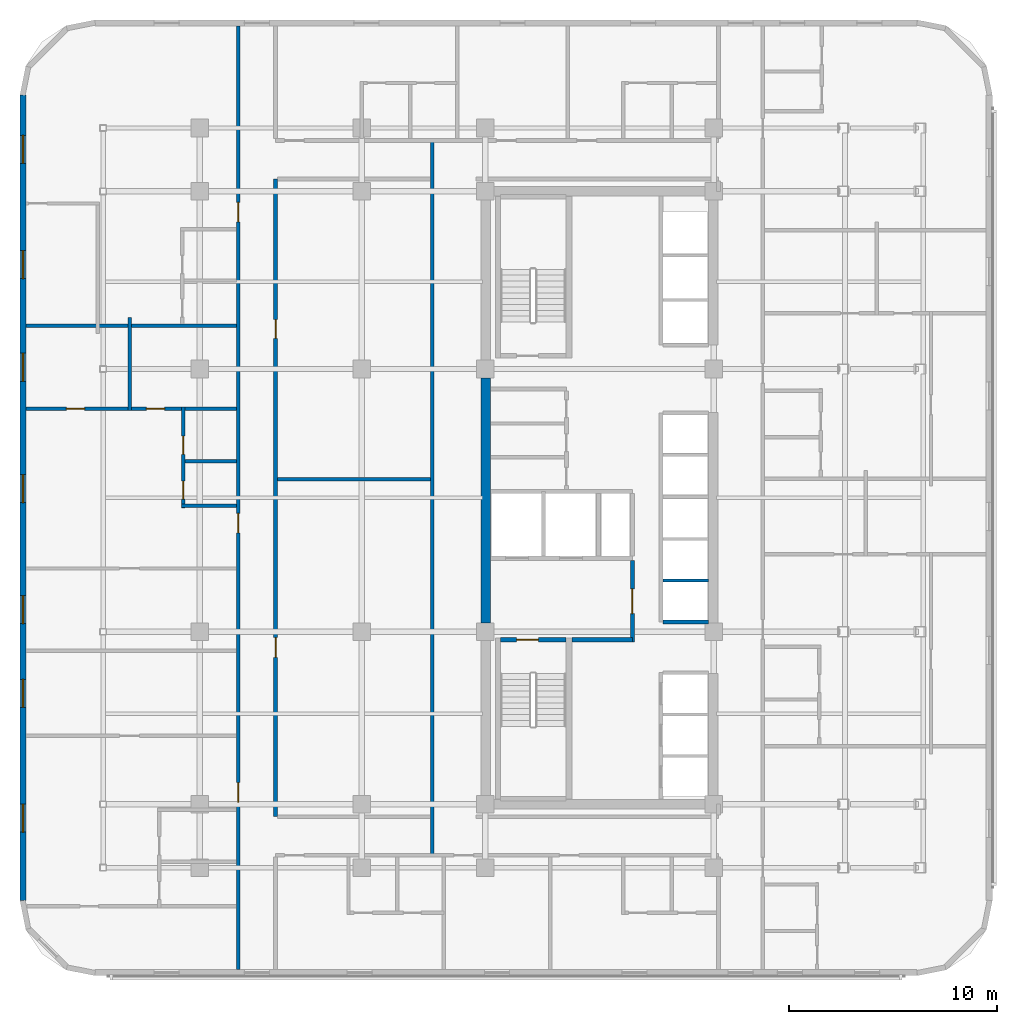
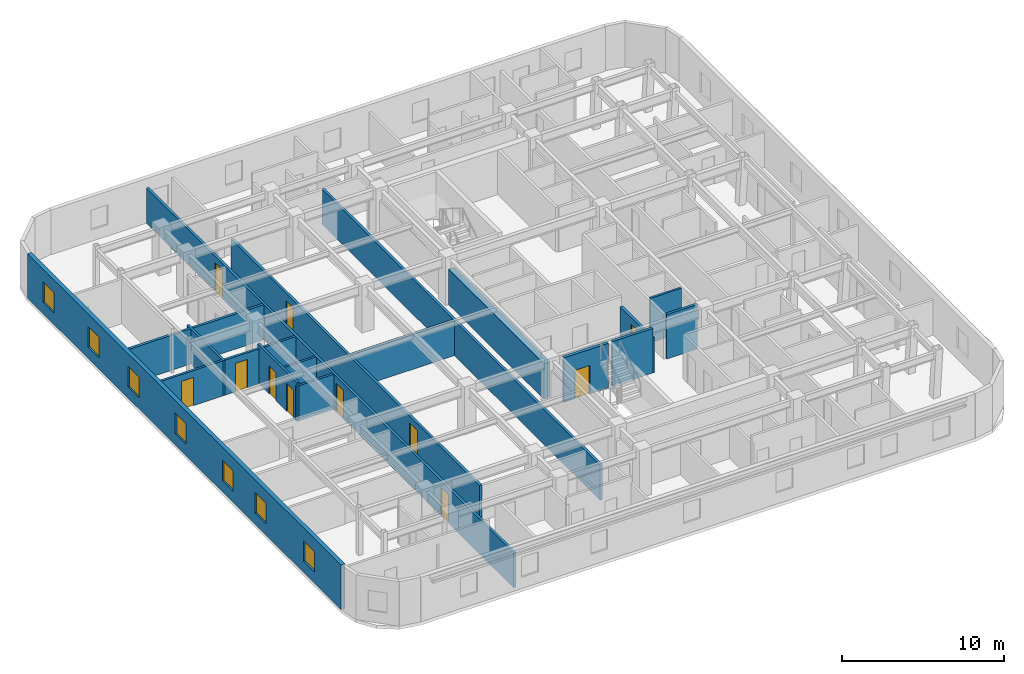
# One storey, part 7 of 14: 17 walls, 11 doors, 7 windows, 18 openings.
"""IFC4 building model written with IfcOpenShell, lengths in metres."""

from ifc_helpers import new_model, si_unit, direction, frame, frame_2d, origin, place, context, subcontext, project, spatial, rectangle, extrude, material, layer, layer_set, type_object, element, fill, save


model = new_model("IFC4")

# Units and contexts
model_context = context("Model", 3, precision=1e-05, world=origin(), true_north=direction((0.0, 1.0)))
body_context = subcontext(model_context, "Body", "Model", "MODEL_VIEW")
ifc_project = project(units=[si_unit("LENGTHUNIT", "METRE"), si_unit("AREAUNIT", "SQUARE_METRE"), si_unit("VOLUMEUNIT", "CUBIC_METRE"), si_unit("PLANEANGLEUNIT", "RADIAN"), si_unit("MASSUNIT", "GRAM", prefix="KILO")], contexts=[model_context])

# Site, building, storey
site_placement = place(None, origin())
site = spatial("IfcSite", under=ifc_project, at=site_placement, CompositionType="ELEMENT")
building_placement = place(site_placement, origin())
building = spatial("IfcBuilding", under=site, at=building_placement, Name="Ochreholt Gables", CompositionType="ELEMENT")
storey_placement = place(building_placement, frame((0.0, 0.0, 42.0)))
storey = spatial("IfcBuildingStorey", under=building, at=storey_placement, Name="L10", CompositionType="ELEMENT", Elevation=42.0)

# Wall
ifc_material_1 = material(Name="Concrete 60 MPa", Category="concrete")
ifc_layer_1 = layer(ifc_material_1, 0.449951171875, Name="Concrete 60 MPa")
ifc_layer_set_1 = layer_set([ifc_layer_1], Name="Concrete 60 MPa")
wall_type_1 = type_object("IfcWallType", Name="WALL-CSW-450", PredefinedType="SHEAR", material=ifc_layer_set_1)
wall_1_placement = place(storey_placement, frame((24.22509765625, 17.97509765625, 0.0), z_axis=(0.0, 0.0, 1.0), x_axis=(0.0, 1.0, 0.0)))
element("IfcWall", 1, at=wall_1_placement, inside=storey, type_object=wall_type_1, Name="L10 Core West Shear Wall WM", PredefinedType="SHEAR", context=body_context, shape_type="SweptSolid", body=[
    extrude(rectangle(XDim=11.7998046875, YDim=0.449951171875, at=frame_2d((5.89990234375, 0.0))), origin(), (0.0, 0.0, 1.0), 2.6669921875),
])

# Wall, openings, windows
ifc_material_2 = material(Name="Precast concrete 40 MPa", Category="concrete")
ifc_layer_2 = layer(ifc_material_2, 0.2900390625, Name="Precast concrete 40 MPa")
ifc_layer_set_2 = layer_set([ifc_layer_2], Name="Precast concrete 40 MPa")
wall_type_2 = type_object("IfcWallType", Name="WALL-EXT-290", PredefinedType="SOLIDWALL", material=ifc_layer_set_2)
wall_2_placement = place(storey_placement, frame((1.945068359375, 43.3798828125, 0.0), z_axis=(0.0, 0.0, 1.0), x_axis=(0.0, -1.0, 0.0)))
wall_2 = element("IfcWall", 2, at=wall_2_placement, inside=storey, type_object=wall_type_2, Name="L10 West Exterior Wall", PredefinedType="SOLIDWALL", context=body_context, shape_type="SweptSolid", body=[
    extrude(rectangle(XDim=38.759765625, YDim=0.2900390625, at=frame_2d((19.3798828125, 0.0))), origin(), (0.0, 0.0, 1.0), 3.360107421875),
])
opening_1_placement = place(wall_2_placement, frame((34.125244140625, 0.0, 0.85009765625)))
opening_1 = element("IfcOpeningElement", 3, at=opening_1_placement, cuts=wall_2, Name="Opening WN-8", PredefinedType="OPENING", context=body_context, shape_type="SweptSolid", body=[
    extrude(rectangle(XDim=1.35009765625, YDim=1.550048828125, at=frame_2d((0.675048828125, 0.77490234375))), frame((0.0, 0.155029296875, 0.0), z_axis=(0.0, -1.0, 0.0), x_axis=(1.0, 0.0, 0.0)), (0.0, 0.0, 1.0), 0.31005859375),
])
opening_2_placement = place(wall_2_placement, frame((28.115234375, 0.0, 0.85009765625)))
opening_2 = element("IfcOpeningElement", 4, at=opening_2_placement, cuts=wall_2, Name="Opening WN-8", PredefinedType="OPENING", context=body_context, shape_type="SweptSolid", body=[
    extrude(rectangle(XDim=1.35009765625, YDim=1.550048828125, at=frame_2d((0.675048828125, 0.77490234375))), frame((0.0, 0.155029296875, 0.0), z_axis=(0.0, -1.0, 0.0), x_axis=(1.0, 0.0, 0.0)), (0.0, 0.0, 1.0), 0.31005859375),
])
opening_3_placement = place(wall_2_placement, frame((24.084228515625, 0.0, 0.85009765625)))
opening_3 = element("IfcOpeningElement", 5, at=opening_3_placement, cuts=wall_2, Name="Opening WN-8", PredefinedType="OPENING", context=body_context, shape_type="SweptSolid", body=[
    extrude(rectangle(XDim=1.35009765625, YDim=1.550048828125, at=frame_2d((0.675048828125, 0.77490234375))), frame((0.0, 0.155029296875, 0.0), z_axis=(0.0, -1.0, 0.0), x_axis=(1.0, 0.0, 0.0)), (0.0, 0.0, 1.0), 0.31005859375),
])
opening_4_placement = place(wall_2_placement, frame((18.25927734375, 0.0, 0.85009765625)))
opening_4 = element("IfcOpeningElement", 6, at=opening_4_placement, cuts=wall_2, Name="Opening WN-8", PredefinedType="OPENING", context=body_context, shape_type="SweptSolid", body=[
    extrude(rectangle(XDim=1.35009765625, YDim=1.550048828125, at=frame_2d((0.675048828125, 0.77490234375))), frame((0.0, 0.155029296875, 0.0), z_axis=(0.0, -1.0, 0.0), x_axis=(1.0, 0.0, 0.0)), (0.0, 0.0, 1.0), 0.31005859375),
])
opening_5_placement = place(wall_2_placement, frame((12.419921875, 0.0, 0.85009765625)))
opening_5 = element("IfcOpeningElement", 7, at=opening_5_placement, cuts=wall_2, Name="Opening WN-8", PredefinedType="OPENING", context=body_context, shape_type="SweptSolid", body=[
    extrude(rectangle(XDim=1.35009765625, YDim=1.550048828125, at=frame_2d((0.675048828125, 0.77490234375))), frame((0.0, 0.155029296875, 0.0), z_axis=(0.0, -1.0, 0.0), x_axis=(1.0, 0.0, 0.0)), (0.0, 0.0, 1.0), 0.31005859375),
])
opening_6_placement = place(wall_2_placement, frame((7.47998046875, 0.0, 0.85009765625)))
opening_6 = element("IfcOpeningElement", 8, at=opening_6_placement, cuts=wall_2, Name="Opening WN-8", PredefinedType="OPENING", context=body_context, shape_type="SweptSolid", body=[
    extrude(rectangle(XDim=1.35009765625, YDim=1.550048828125, at=frame_2d((0.675048828125, 0.77490234375))), frame((0.0, 0.155029296875, 0.0), z_axis=(0.0, -1.0, 0.0), x_axis=(1.0, 0.0, 0.0)), (0.0, 0.0, 1.0), 0.31005859375),
])
opening_7_placement = place(wall_2_placement, frame((1.929931640625, 0.0, 0.85009765625)))
opening_7 = element("IfcOpeningElement", 9, at=opening_7_placement, cuts=wall_2, Name="Opening WN-8", PredefinedType="OPENING", context=body_context, shape_type="SweptSolid", body=[
    extrude(rectangle(XDim=1.35009765625, YDim=1.550048828125, at=frame_2d((0.675048828125, 0.77490234375))), frame((0.0, 0.155029296875, 0.0), z_axis=(0.0, -1.0, 0.0), x_axis=(1.0, 0.0, 0.0)), (0.0, 0.0, 1.0), 0.31005859375),
])
ifc_material_3 = material(Name="Triple-Glazed Thermally Broken Aluminium Window", Category="aluminium")
window_type = type_object("IfcWindowType", Name="WIN-RES-1350", PartitioningType="SINGLE_PANEL", PredefinedType="WINDOW", material=ifc_material_3)
window_1_placement = place(opening_1_placement, origin())
window_1 = element("IfcWindow", 10, at=window_1_placement, inside=storey, type_object=window_type, Name="L10 Window W-EXT-W-L10-1", OverallHeight=1.550048828125, OverallWidth=1.35009765625, PartitioningType="SINGLE_PANEL", PredefinedType="WINDOW", context=body_context, shape_type="SweptSolid", body=[
    extrude(rectangle(XDim=1.35009765625, YDim=1.550048828125, at=frame_2d((0.675048828125, 0.77490234375))), frame((0.0, 0.030029296875, 0.0), z_axis=(0.0, -1.0, 0.0), x_axis=(1.0, 0.0, 0.0)), (0.0, 0.0, 1.0), 0.06005859375),
])
fill(opening_1, window_1)
window_2_placement = place(opening_2_placement, origin())
window_2 = element("IfcWindow", 11, at=window_2_placement, inside=storey, type_object=window_type, Name="L10 Window W-EXT-W-L10-2", OverallHeight=1.550048828125, OverallWidth=1.35009765625, PartitioningType="SINGLE_PANEL", PredefinedType="WINDOW", context=body_context, shape_type="SweptSolid", body=[
    extrude(rectangle(XDim=1.35009765625, YDim=1.550048828125, at=frame_2d((0.675048828125, 0.77490234375))), frame((0.0, 0.030029296875, 0.0), z_axis=(0.0, -1.0, 0.0), x_axis=(1.0, 0.0, 0.0)), (0.0, 0.0, 1.0), 0.06005859375),
])
fill(opening_2, window_2)
window_3_placement = place(opening_3_placement, origin())
window_3 = element("IfcWindow", 12, at=window_3_placement, inside=storey, type_object=window_type, Name="L10 Window W-EXT-W-L10-3", OverallHeight=1.550048828125, OverallWidth=1.35009765625, PartitioningType="SINGLE_PANEL", PredefinedType="WINDOW", context=body_context, shape_type="SweptSolid", body=[
    extrude(rectangle(XDim=1.35009765625, YDim=1.550048828125, at=frame_2d((0.675048828125, 0.77490234375))), frame((0.0, 0.030029296875, 0.0), z_axis=(0.0, -1.0, 0.0), x_axis=(1.0, 0.0, 0.0)), (0.0, 0.0, 1.0), 0.06005859375),
])
fill(opening_3, window_3)
window_4_placement = place(opening_4_placement, origin())
window_4 = element("IfcWindow", 13, at=window_4_placement, inside=storey, type_object=window_type, Name="L10 Window W-EXT-W-L10-4", OverallHeight=1.550048828125, OverallWidth=1.35009765625, PartitioningType="SINGLE_PANEL", PredefinedType="WINDOW", context=body_context, shape_type="SweptSolid", body=[
    extrude(rectangle(XDim=1.35009765625, YDim=1.550048828125, at=frame_2d((0.675048828125, 0.77490234375))), frame((0.0, 0.030029296875, 0.0), z_axis=(0.0, -1.0, 0.0), x_axis=(1.0, 0.0, 0.0)), (0.0, 0.0, 1.0), 0.06005859375),
])
fill(opening_4, window_4)
window_5_placement = place(opening_5_placement, origin())
window_5 = element("IfcWindow", 14, at=window_5_placement, inside=storey, type_object=window_type, Name="L10 Window W-EXT-W-L10-5", OverallHeight=1.550048828125, OverallWidth=1.35009765625, PartitioningType="SINGLE_PANEL", PredefinedType="WINDOW", context=body_context, shape_type="SweptSolid", body=[
    extrude(rectangle(XDim=1.35009765625, YDim=1.550048828125, at=frame_2d((0.675048828125, 0.77490234375))), frame((0.0, 0.030029296875, 0.0), z_axis=(0.0, -1.0, 0.0), x_axis=(1.0, 0.0, 0.0)), (0.0, 0.0, 1.0), 0.06005859375),
])
fill(opening_5, window_5)
window_6_placement = place(opening_6_placement, origin())
window_6 = element("IfcWindow", 15, at=window_6_placement, inside=storey, type_object=window_type, Name="L10 Window W-EXT-W-L10-6", OverallHeight=1.550048828125, OverallWidth=1.35009765625, PartitioningType="SINGLE_PANEL", PredefinedType="WINDOW", context=body_context, shape_type="SweptSolid", body=[
    extrude(rectangle(XDim=1.35009765625, YDim=1.550048828125, at=frame_2d((0.675048828125, 0.77490234375))), frame((0.0, 0.030029296875, 0.0), z_axis=(0.0, -1.0, 0.0), x_axis=(1.0, 0.0, 0.0)), (0.0, 0.0, 1.0), 0.06005859375),
])
fill(opening_6, window_6)
window_7_placement = place(opening_7_placement, origin())
window_7 = element("IfcWindow", 16, at=window_7_placement, inside=storey, type_object=window_type, Name="L10 Window W-EXT-W-L10-7", OverallHeight=1.550048828125, OverallWidth=1.35009765625, PartitioningType="SINGLE_PANEL", PredefinedType="WINDOW", context=body_context, shape_type="SweptSolid", body=[
    extrude(rectangle(XDim=1.35009765625, YDim=1.550048828125, at=frame_2d((0.675048828125, 0.77490234375))), frame((0.0, 0.030029296875, 0.0), z_axis=(0.0, -1.0, 0.0), x_axis=(1.0, 0.0, 0.0)), (0.0, 0.0, 1.0), 0.06005859375),
])
fill(opening_7, window_7)

# Wall
ifc_material_4 = material(Name="Concrete 40 MPa", Category="concrete")
ifc_layer_3 = layer(ifc_material_4, 0.199951171875, Name="Concrete 40 MPa")
ifc_layer_set_3 = layer_set([ifc_layer_3], Name="Concrete 40 MPa")
wall_type_3 = type_object("IfcWallType", Name="WALL-INT-CF200", PredefinedType="STANDARD", material=ifc_layer_set_3)
wall_3_placement = place(storey_placement, frame((28.3798828125, 17.169921875, 0.0), z_axis=(0.0, 0.0, 1.0), x_axis=(1.0, 0.0, 0.0)))
element("IfcWall", 17, at=wall_3_placement, inside=storey, type_object=wall_type_3, Name="L10 Interior Wall WI-FFS-L10", PredefinedType="STANDARD", context=body_context, shape_type="SweptSolid", body=[
    extrude(rectangle(XDim=2.900146484375, YDim=0.199951171875, at=frame_2d((1.4501953125, 0.0))), origin(), (0.0, 0.0, 1.0), 3.360107421875),
])

# Wall, opening, door
wall_4_placement = place(storey_placement, frame((31.280029296875, 17.070068359375, 0.0), z_axis=(0.0, 0.0, 1.0), x_axis=(0.0, 1.0, 0.0)))
wall_4 = element("IfcWall", 18, at=wall_4_placement, inside=storey, type_object=wall_type_3, Name="L10 Interior Wall WI-FFE-L10", PredefinedType="STANDARD", context=body_context, shape_type="SweptSolid", body=[
    extrude(rectangle(XDim=3.919921875, YDim=0.199951171875, at=frame_2d((1.9599609375, 0.0))), origin(), (0.0, 0.0, 1.0), 2.64892578125),
])
opening_8_placement = place(wall_4_placement, frame((1.35009765625, 0.0, 0.0)))
opening_8 = element("IfcOpeningElement", 19, at=opening_8_placement, cuts=wall_4, Name="Opening D-FFL", PredefinedType="OPENING", context=body_context, shape_type="SweptSolid", body=[
    extrude(rectangle(XDim=1.199951171875, YDim=2.14990234375, at=frame_2d((0.60009765625, 1.074951171875))), frame((0.0, 0.10986328125, 0.0), z_axis=(0.0, -1.0, 0.0), x_axis=(1.0, 0.0, 0.0)), (0.0, 0.0, 1.0), 0.219970703125),
])
ifc_material_5 = material(Name="Hollow Metal Steel", Category="steel")
door_type_1 = type_object("IfcDoorType", Name="DR-INT-FFL1200", OperationType="NOTDEFINED", PredefinedType="DOOR", material=ifc_material_5)
door_1_placement = place(opening_8_placement, origin())
door_1 = element("IfcDoor", 20, at=door_1_placement, inside=storey, type_object=door_type_1, Name="L10 Door D-FFL-L10", OperationType="SINGLE_SWING_LEFT", OverallHeight=2.14990234375, OverallWidth=1.199951171875, PredefinedType="DOOR", context=body_context, shape_type="SweptSolid", body=[
    extrude(rectangle(XDim=1.199951171875, YDim=2.14990234375, at=frame_2d((0.60009765625, 1.074951171875))), frame((0.0, 0.02490234375, 0.0), z_axis=(0.0, -1.0, 0.0), x_axis=(1.0, 0.0, 0.0)), (0.0, 0.0, 1.0), 0.050048828125),
])
fill(opening_8, door_1)

# Wall
ifc_material_6 = material(Name="Fire-Rated Gypsum Acoustic Partition", Category="gypsum")
ifc_layer_4 = layer(ifc_material_6, 0.179931640625, Name="Fire-Rated Gypsum Acoustic Partition")
ifc_layer_set_4 = layer_set([ifc_layer_4], Name="Fire-Rated Gypsum Acoustic Partition")
wall_type_4 = type_object("IfcWallType", Name="WALL-INT-CR180", PredefinedType="STANDARD", material=ifc_layer_set_4)
wall_5_placement = place(storey_placement, frame((21.64990234375, 6.800048828125, 0.0), z_axis=(0.0, 0.0, 1.0), x_axis=(0.0, 1.0, 0.0)))
element("IfcWall", 21, at=wall_5_placement, inside=storey, type_object=wall_type_4, Name="L10 Interior Wall WI-C1W-L10", PredefinedType="STANDARD", context=body_context, shape_type="SweptSolid", body=[
    extrude(rectangle(XDim=34.39990234375, YDim=0.179931640625, at=frame_2d((17.199951171875, 0.0))), origin(), (0.0, 0.0, 1.0), 2.64892578125),
])

# Wall, openings, doors
wall_6_placement = place(storey_placement, frame((12.300048828125, 1.2900390625, 0.0), z_axis=(0.0, 0.0, 1.0), x_axis=(0.0, 1.0, 0.0)))
wall_6 = element("IfcWall", 22, at=wall_6_placement, inside=storey, type_object=wall_type_4, Name="L10 Interior Wall WI-C1WW-L10", PredefinedType="STANDARD", context=body_context, shape_type="SweptSolid", body=[
    extrude(rectangle(XDim=45.419921875, YDim=0.179931640625, at=frame_2d((22.7099609375, 0.0))), origin(), (0.0, 0.0, 1.0), 2.64892578125),
])
opening_9_placement = place(wall_6_placement, frame((8.06005859375, 0.0, 0.0)))
opening_9 = element("IfcOpeningElement", 23, at=opening_9_placement, cuts=wall_6, Name="Opening D-UN2", PredefinedType="OPENING", context=body_context, shape_type="SweptSolid", body=[
    extrude(rectangle(XDim=0.93994140625, YDim=2.14990234375, at=frame_2d((0.469970703125, 1.074951171875))), frame((0.0, 0.099853515625, 0.0), z_axis=(0.0, -1.0, 0.0), x_axis=(1.0, 0.0, 0.0)), (0.0, 0.0, 1.0), 0.199951171875),
])
opening_10_placement = place(wall_6_placement, frame((21.021484375, 0.0, 0.0)))
opening_10 = element("IfcOpeningElement", 24, at=opening_10_placement, cuts=wall_6, Name="Opening D-UN2", PredefinedType="OPENING", context=body_context, shape_type="SweptSolid", body=[
    extrude(rectangle(XDim=0.93994140625, YDim=2.14990234375, at=frame_2d((0.469970703125, 1.074951171875))), frame((0.0, 0.099853515625, 0.0), z_axis=(0.0, -1.0, 0.0), x_axis=(1.0, 0.0, 0.0)), (0.0, 0.0, 1.0), 0.199951171875),
])
opening_11_placement = place(wall_6_placement, frame((35.989990234375, 0.0, 0.0)))
opening_11 = element("IfcOpeningElement", 25, at=opening_11_placement, cuts=wall_6, Name="Opening D-UN2", PredefinedType="OPENING", context=body_context, shape_type="SweptSolid", body=[
    extrude(rectangle(XDim=0.93994140625, YDim=2.14990234375, at=frame_2d((0.469970703125, 1.074951171875))), frame((0.0, 0.099853515625, 0.0), z_axis=(0.0, -1.0, 0.0), x_axis=(1.0, 0.0, 0.0)), (0.0, 0.0, 1.0), 0.199951171875),
])
ifc_material_7 = material(Name="Engineered Oak Timber", Category="wood")
door_type_2 = type_object("IfcDoorType", Name="DR-INT-UNT940", OperationType="NOTDEFINED", PredefinedType="DOOR", material=ifc_material_7)
door_2_placement = place(opening_9_placement, origin())
door_2 = element("IfcDoor", 26, at=door_2_placement, inside=storey, type_object=door_type_2, Name="L10 Door D-U-L10W1-ENT", OperationType="SINGLE_SWING_RIGHT", OverallHeight=2.14990234375, OverallWidth=0.93994140625, PredefinedType="DOOR", context=body_context, shape_type="SweptSolid", body=[
    extrude(rectangle(XDim=0.93994140625, YDim=2.14990234375, at=frame_2d((0.469970703125, 1.074951171875))), frame((0.0, 0.02490234375, 0.0), z_axis=(0.0, -1.0, 0.0), x_axis=(1.0, 0.0, 0.0)), (0.0, 0.0, 1.0), 0.050048828125),
])
fill(opening_9, door_2)
door_3_placement = place(opening_10_placement, origin())
door_3 = element("IfcDoor", 27, at=door_3_placement, inside=storey, type_object=door_type_2, Name="L10 Door D-U-L10W2-ENT", OperationType="SINGLE_SWING_LEFT", OverallHeight=2.14990234375, OverallWidth=0.93994140625, PredefinedType="DOOR", context=body_context, shape_type="SweptSolid", body=[
    extrude(rectangle(XDim=0.93994140625, YDim=2.14990234375, at=frame_2d((0.469970703125, 1.074951171875))), frame((0.0, 0.02490234375, 0.0), z_axis=(0.0, -1.0, 0.0), x_axis=(1.0, 0.0, 0.0)), (0.0, 0.0, 1.0), 0.050048828125),
])
fill(opening_10, door_3)
door_4_placement = place(opening_11_placement, origin())
door_4 = element("IfcDoor", 28, at=door_4_placement, inside=storey, type_object=door_type_2, Name="L10 Door D-U-L10W3-ENT", OperationType="SINGLE_SWING_RIGHT", OverallHeight=2.14990234375, OverallWidth=0.93994140625, PredefinedType="DOOR", context=body_context, shape_type="SweptSolid", body=[
    extrude(rectangle(XDim=0.93994140625, YDim=2.14990234375, at=frame_2d((0.469970703125, 1.074951171875))), frame((0.0, 0.02490234375, 0.0), z_axis=(0.0, -1.0, 0.0), x_axis=(1.0, 0.0, 0.0)), (0.0, 0.0, 1.0), 0.050048828125),
])
fill(opening_11, door_4)

wall_7_placement = place(storey_placement, frame((14.10009765625, 8.64990234375, 0.0), z_axis=(0.0, 0.0, 1.0), x_axis=(0.0, 1.0, 0.0)))
wall_7 = element("IfcWall", 29, at=wall_7_placement, inside=storey, type_object=wall_type_4, Name="L10 Interior Wall WI-C1WE-L10", PredefinedType="STANDARD", context=body_context, shape_type="SweptSolid", body=[
    extrude(rectangle(XDim=30.7001953125, YDim=0.179931640625, at=frame_2d((15.35009765625, 0.0))), origin(), (0.0, 0.0, 1.0), 2.64892578125),
])
opening_12_placement = place(wall_7_placement, frame((7.675048828125, 0.0, 0.0)))
opening_12 = element("IfcOpeningElement", 30, at=opening_12_placement, cuts=wall_7, Name="Opening D-GN1", PredefinedType="OPENING", context=body_context, shape_type="SweptSolid", body=[
    extrude(rectangle(XDim=0.949951171875, YDim=2.14990234375, at=frame_2d((0.47509765625, 1.074951171875))), frame((0.0, 0.099853515625, 0.0), z_axis=(0.0, -1.0, 0.0), x_axis=(1.0, 0.0, 0.0)), (0.0, 0.0, 1.0), 0.199951171875),
])
opening_13_placement = place(wall_7_placement, frame((23.02490234375, 0.0, 0.0)))
opening_13 = element("IfcOpeningElement", 31, at=opening_13_placement, cuts=wall_7, Name="Opening D-SV1", PredefinedType="OPENING", context=body_context, shape_type="SweptSolid", body=[
    extrude(rectangle(XDim=0.89990234375, YDim=2.10009765625, at=frame_2d((0.449951171875, 1.050048828125))), frame((0.0, 0.099853515625, 0.0), z_axis=(0.0, -1.0, 0.0), x_axis=(1.0, 0.0, 0.0)), (0.0, 0.0, 1.0), 0.199951171875),
])
door_type_3 = type_object("IfcDoorType", Name="DR-INT-GEN950", OperationType="NOTDEFINED", PredefinedType="DOOR", material=ifc_material_7)
door_5_placement = place(opening_12_placement, origin())
door_5 = element("IfcDoor", 32, at=door_5_placement, inside=storey, type_object=door_type_3, Name="L10 Door D-C1IW1-L10", OperationType="SINGLE_SWING_LEFT", OverallHeight=2.14990234375, OverallWidth=0.949951171875, PredefinedType="DOOR", context=body_context, shape_type="SweptSolid", body=[
    extrude(rectangle(XDim=0.949951171875, YDim=2.14990234375, at=frame_2d((0.47509765625, 1.074951171875))), frame((0.0, 0.02490234375, 0.0), z_axis=(0.0, -1.0, 0.0), x_axis=(1.0, 0.0, 0.0)), (0.0, 0.0, 1.0), 0.050048828125),
])
fill(opening_12, door_5)
door_type_4 = type_object("IfcDoorType", Name="DR-INT-SRV900", OperationType="NOTDEFINED", PredefinedType="DOOR", material=ifc_material_5)
door_6_placement = place(opening_13_placement, origin())
door_6 = element("IfcDoor", 33, at=door_6_placement, inside=storey, type_object=door_type_4, Name="L10 Door D-C1IW2-L10", OperationType="SINGLE_SWING_RIGHT", OverallHeight=2.10009765625, OverallWidth=0.89990234375, PredefinedType="DOOR", context=body_context, shape_type="SweptSolid", body=[
    extrude(rectangle(XDim=0.89990234375, YDim=2.10009765625, at=frame_2d((0.449951171875, 1.050048828125))), frame((0.0, 0.02490234375, 0.0), z_axis=(0.0, -1.0, 0.0), x_axis=(1.0, 0.0, 0.0)), (0.0, 0.0, 1.0), 0.050048828125),
])
fill(opening_13, door_6)

# Walls
ifc_material_8 = material(Name="Double-Stud Acoustic Demising Wall", Category="gypsum")
ifc_layer_5 = layer(ifc_material_8, 0.179931640625, Name="Double-Stud Acoustic Demising Wall")
ifc_layer_set_5 = layer_set([ifc_layer_5], Name="Double-Stud Acoustic Demising Wall")
wall_type_5 = type_object("IfcWallType", Name="WALL-INT-DM180", PredefinedType="PARTITIONING", material=ifc_layer_set_5)
wall_8_placement = place(storey_placement, frame((2.090087890625, 32.280029296875, 0.0), z_axis=(0.0, 0.0, 1.0), x_axis=(1.0, 0.0, 0.0)))
element("IfcWall", 34, at=wall_8_placement, inside=storey, type_object=wall_type_5, Name="L10 Interior Wall WI-UDW3-L10", PredefinedType="PARTITIONING", context=body_context, shape_type="SweptSolid", body=[
    extrude(rectangle(XDim=10.119873046875, YDim=0.179931640625, at=frame_2d((5.06005859375, 0.0))), origin(), (0.0, 0.0, 1.0), 2.64892578125),
])
ifc_material_9 = material(Name="Moisture-Resistant Plumbing Chase Wall", Category="gypsum")
ifc_layer_6 = layer(ifc_material_9, 0.159912109375, Name="Moisture-Resistant Plumbing Chase Wall")
ifc_layer_set_6 = layer_set([ifc_layer_6], Name="Moisture-Resistant Plumbing Chase Wall")
wall_type_6 = type_object("IfcWallType", Name="WALL-INT-PL160", PredefinedType="PLUMBINGWALL", material=ifc_layer_set_6)
wall_9_placement = place(storey_placement, frame((9.573974609375, 23.611572265625, 0.0), z_axis=(0.0, 0.0, 1.0), x_axis=(1.0, 0.0, 0.0)))
element("IfcWall", 35, at=wall_9_placement, inside=storey, type_object=wall_type_6, Name="L10 Interior Wall WU-L10W2-FYS", PredefinedType="PLUMBINGWALL", context=body_context, shape_type="SweptSolid", body=[
    extrude(rectangle(XDim=2.635986328125, YDim=0.159912109375, at=frame_2d((1.31787109375, 0.0))), origin(), (0.0, 0.0, 1.0), 2.64892578125),
])

# Wall, openings, doors
wall_10_placement = place(storey_placement, frame((9.654052734375, 23.521484375, 0.0), z_axis=(0.0, 0.0, 1.0), x_axis=(0.0, 1.0, 0.0)))
wall_10 = element("IfcWall", 36, at=wall_10_placement, inside=storey, type_object=wall_type_6, Name="L10 Interior Wall WU-L10W2-WX", PredefinedType="PLUMBINGWALL", context=body_context, shape_type="SweptSolid", body=[
    extrude(rectangle(XDim=4.8583984375, YDim=0.159912109375, at=frame_2d((2.42919921875, 0.0))), origin(), (0.0, 0.0, 1.0), 2.931884765625),
])
opening_14_placement = place(wall_10_placement, frame((0.419921875, 0.0, 0.0)))
opening_14 = element("IfcOpeningElement", 37, at=opening_14_placement, cuts=wall_10, Name="Opening D-BT1", PredefinedType="OPENING", context=body_context, shape_type="SweptSolid", body=[
    extrude(rectangle(XDim=0.860107421875, YDim=2.1201171875, at=frame_2d((0.43017578125, 1.06005859375))), frame((0.0, 0.08984375, 0.0), z_axis=(0.0, -1.0, 0.0), x_axis=(1.0, 0.0, 0.0)), (0.0, 0.0, 1.0), 0.179931640625),
])
opening_15_placement = place(wall_10_placement, frame((2.572021484375, 0.0, 0.0)))
opening_15 = element("IfcOpeningElement", 38, at=opening_15_placement, cuts=wall_10, Name="Opening D-GN2", PredefinedType="OPENING", context=body_context, shape_type="SweptSolid", body=[
    extrude(rectangle(XDim=0.8798828125, YDim=2.1201171875, at=frame_2d((0.43994140625, 1.06005859375))), frame((0.0, 0.08984375, 0.0), z_axis=(0.0, -1.0, 0.0), x_axis=(1.0, 0.0, 0.0)), (0.0, 0.0, 1.0), 0.179931640625),
])
door_type_5 = type_object("IfcDoorType", Name="DR-INT-BTH860", OperationType="NOTDEFINED", PredefinedType="DOOR", material=ifc_material_7)
door_7_placement = place(opening_14_placement, origin())
door_7 = element("IfcDoor", 39, at=door_7_placement, inside=storey, type_object=door_type_5, Name="L10 Door D-U-L10W2-BTH", OperationType="SINGLE_SWING_RIGHT", OverallHeight=2.1201171875, OverallWidth=0.860107421875, PredefinedType="DOOR", context=body_context, shape_type="SweptSolid", body=[
    extrude(rectangle(XDim=0.860107421875, YDim=2.1201171875, at=frame_2d((0.43017578125, 1.06005859375))), frame((0.0, 0.02490234375, 0.0), z_axis=(0.0, -1.0, 0.0), x_axis=(1.0, 0.0, 0.0)), (0.0, 0.0, 1.0), 0.050048828125),
])
fill(opening_14, door_7)
door_type_6 = type_object("IfcDoorType", Name="DR-INT-GEN880", OperationType="NOTDEFINED", PredefinedType="DOOR", material=ifc_material_7)
door_8_placement = place(opening_15_placement, origin())
door_8 = element("IfcDoor", 40, at=door_8_placement, inside=storey, type_object=door_type_6, Name="L10 Door D-U-L10W2-KIT", OperationType="SINGLE_SWING_LEFT", OverallHeight=2.1201171875, OverallWidth=0.8798828125, PredefinedType="DOOR", context=body_context, shape_type="SweptSolid", body=[
    extrude(rectangle(XDim=0.8798828125, YDim=2.1201171875, at=frame_2d((0.43994140625, 1.06005859375))), frame((0.0, 0.02490234375, 0.0), z_axis=(0.0, -1.0, 0.0), x_axis=(1.0, 0.0, 0.0)), (0.0, 0.0, 1.0), 0.050048828125),
])
fill(opening_15, door_8)

# Wall
wall_11_placement = place(storey_placement, frame((9.73388671875, 25.763671875, 0.0), z_axis=(0.0, 0.0, 1.0), x_axis=(1.0, 0.0, 0.0)))
element("IfcWall", 41, at=wall_11_placement, inside=storey, type_object=wall_type_6, Name="L10 Interior Wall WU-L10W2-WK", PredefinedType="PLUMBINGWALL", context=body_context, shape_type="SweptSolid", body=[
    extrude(rectangle(XDim=2.47607421875, YDim=0.159912109375, at=frame_2d((1.238037109375, 0.0))), origin(), (0.0, 0.0, 1.0), 2.64892578125),
])

# Wall, openings, doors
ifc_material_10 = material(Name="Gypsum Acoustic Stud Partition", Category="gypsum")
ifc_layer_7 = layer(ifc_material_10, 0.159912109375, Name="Gypsum Acoustic Stud Partition")
ifc_layer_set_7 = layer_set([ifc_layer_7], Name="Gypsum Acoustic Stud Partition")
wall_type_7 = type_object("IfcWallType", Name="WALL-INT-PT160", PredefinedType="PARTITIONING", material=ifc_layer_set_7)
wall_12_placement = place(storey_placement, frame((2.090087890625, 28.2900390625, 0.0), z_axis=(0.0, 0.0, 1.0), x_axis=(1.0, 0.0, 0.0)))
wall_12 = element("IfcWall", 42, at=wall_12_placement, inside=storey, type_object=wall_type_7, Name="L10 Interior Wall WU-L10W2-MN", PredefinedType="PARTITIONING", context=body_context, shape_type="SweptSolid", body=[
    extrude(rectangle(XDim=10.119873046875, YDim=0.159912109375, at=frame_2d((5.06005859375, 0.0))), origin(), (0.0, 0.0, 1.0), 2.64892578125),
])
opening_16_placement = place(wall_12_placement, frame((1.93994140625, 0.0, 0.0)))
opening_16 = element("IfcOpeningElement", 43, at=opening_16_placement, cuts=wall_12, Name="Opening D-BD2", PredefinedType="OPENING", context=body_context, shape_type="SweptSolid", body=[
    extrude(rectangle(XDim=0.8798828125, YDim=2.139892578125, at=frame_2d((0.43994140625, 1.06982421875))), frame((0.0, 0.08984375, 0.0), z_axis=(0.0, -1.0, 0.0), x_axis=(1.0, 0.0, 0.0)), (0.0, 0.0, 1.0), 0.179931640625),
])
opening_17_placement = place(wall_12_placement, frame((5.7919921875, 0.0, 0.0)))
opening_17 = element("IfcOpeningElement", 44, at=opening_17_placement, cuts=wall_12, Name="Opening D-BD2", PredefinedType="OPENING", context=body_context, shape_type="SweptSolid", body=[
    extrude(rectangle(XDim=0.8798828125, YDim=2.139892578125, at=frame_2d((0.43994140625, 1.06982421875))), frame((0.0, 0.08984375, 0.0), z_axis=(0.0, -1.0, 0.0), x_axis=(1.0, 0.0, 0.0)), (0.0, 0.0, 1.0), 0.179931640625),
])
door_type_7 = type_object("IfcDoorType", Name="DR-INT-BED880", OperationType="NOTDEFINED", PredefinedType="DOOR", material=ifc_material_7)
door_9_placement = place(opening_16_placement, origin())
door_9 = element("IfcDoor", 45, at=door_9_placement, inside=storey, type_object=door_type_7, Name="L10 Door D-U-L10W2-BD1", OperationType="SINGLE_SWING_LEFT", OverallHeight=2.139892578125, OverallWidth=0.8798828125, PredefinedType="DOOR", context=body_context, shape_type="SweptSolid", body=[
    extrude(rectangle(XDim=0.8798828125, YDim=2.139892578125, at=frame_2d((0.43994140625, 1.06982421875))), frame((0.0, 0.02490234375, 0.0), z_axis=(0.0, -1.0, 0.0), x_axis=(1.0, 0.0, 0.0)), (0.0, 0.0, 1.0), 0.050048828125),
])
fill(opening_16, door_9)
door_10_placement = place(opening_17_placement, origin())
door_10 = element("IfcDoor", 46, at=door_10_placement, inside=storey, type_object=door_type_7, Name="L10 Door D-U-L10W2-BD2", OperationType="SINGLE_SWING_RIGHT", OverallHeight=2.139892578125, OverallWidth=0.8798828125, PredefinedType="DOOR", context=body_context, shape_type="SweptSolid", body=[
    extrude(rectangle(XDim=0.8798828125, YDim=2.139892578125, at=frame_2d((0.43994140625, 1.06982421875))), frame((0.0, 0.02490234375, 0.0), z_axis=(0.0, -1.0, 0.0), x_axis=(1.0, 0.0, 0.0)), (0.0, 0.0, 1.0), 0.050048828125),
])
fill(opening_17, door_10)

# Walls
wall_13_placement = place(storey_placement, frame((7.080078125, 28.2099609375, 0.0), z_axis=(0.0, 0.0, 1.0), x_axis=(0.0, 1.0, 0.0)))
element("IfcWall", 47, at=wall_13_placement, inside=storey, type_object=wall_type_7, Name="L10 Interior Wall WU-L10W2-BSD", PredefinedType="PARTITIONING", context=body_context, shape_type="SweptSolid", body=[
    extrude(rectangle(XDim=4.4599609375, YDim=0.159912109375, at=frame_2d((2.22998046875, 0.0))), origin(), (0.0, 0.0, 1.0), 2.64892578125),
])
wall_14_placement = place(storey_placement, frame((14.18994140625, 24.89990234375, 0.0), z_axis=(0.0, 0.0, 1.0), x_axis=(1.0, 0.0, 0.0)))
element("IfcWall", 48, at=wall_14_placement, inside=storey, type_object=wall_type_7, Name="L10 Interior Wall WI-UDWI1-L10", PredefinedType="PARTITIONING", context=body_context, shape_type="SweptSolid", body=[
    extrude(rectangle(XDim=7.3701171875, YDim=0.159912109375, at=frame_2d((3.68505859375, 0.0))), origin(), (0.0, 0.0, 1.0), 2.64892578125),
])
ifc_material_11 = material(Name="Gypsum Shaftliner and Steel Stud", Category="steel")
ifc_layer_8 = layer(ifc_material_11, 0.14990234375, Name="Gypsum Shaftliner and Steel Stud")
ifc_layer_set_8 = layer_set([ifc_layer_8], Name="Gypsum Shaftliner and Steel Stud")
wall_type_8 = type_object("IfcWallType", Name="WALL-INT-SH150", PredefinedType="STANDARD", material=ifc_layer_set_8)
wall_15_placement = place(storey_placement, frame((32.739990234375, 20.02001953125, 0.0), z_axis=(0.0, 0.0, 1.0), x_axis=(1.0, 0.0, 0.0)))
element("IfcWall", 49, at=wall_15_placement, inside=storey, type_object=wall_type_8, Name="L10 Interior Wall WI-LFHE-DH1-L10", PredefinedType="STANDARD", context=body_context, shape_type="SweptSolid", body=[
    extrude(rectangle(XDim=2.2099609375, YDim=0.14990234375, at=frame_2d((1.10498046875, 0.0))), origin(), (0.0, 0.0, 1.0), 3.360107421875),
])
ifc_layer_9 = layer(ifc_material_11, 0.179931640625, Name="Gypsum Shaftliner and Steel Stud")
ifc_layer_set_9 = layer_set([ifc_layer_9], Name="Gypsum Shaftliner and Steel Stud")
wall_type_9 = type_object("IfcWallType", Name="WALL-INT-SH180", PredefinedType="STANDARD", material=ifc_layer_set_9)
wall_16_placement = place(storey_placement, frame((32.739990234375, 18.02001953125, 0.0), z_axis=(0.0, 0.0, 1.0), x_axis=(1.0, 0.0, 0.0)))
element("IfcWall", 50, at=wall_16_placement, inside=storey, type_object=wall_type_9, Name="L10 Interior Wall WI-LFHE-S-L10", PredefinedType="STANDARD", context=body_context, shape_type="SweptSolid", body=[
    extrude(rectangle(XDim=2.2099609375, YDim=0.179931640625, at=frame_2d((1.10498046875, 0.0))), origin(), (0.0, 0.0, 1.0), 3.360107421875),
])

# Wall, opening, door
ifc_material_12 = material(Name="Concrete 50 MPa", Category="concrete")
ifc_layer_10 = layer(ifc_material_12, 0.219970703125, Name="Concrete 50 MPa")
ifc_layer_set_10 = layer_set([ifc_layer_10], Name="Concrete 50 MPa")
wall_type_10 = type_object("IfcWallType", Name="WALL-STW-220", PredefinedType="SHEAR", material=ifc_layer_set_10)
wall_17_placement = place(storey_placement, frame((24.919921875, 17.169921875, 0.0), z_axis=(0.0, 0.0, 1.0), x_axis=(1.0, 0.0, 0.0)))
wall_17 = element("IfcWall", 51, at=wall_17_placement, inside=storey, type_object=wall_type_10, Name="L10 Exit Stair 1 North Wall", PredefinedType="SHEAR", context=body_context, shape_type="SweptSolid", body=[
    extrude(rectangle(XDim=3.16015625, YDim=0.219970703125, at=frame_2d((1.580078125, 0.0))), origin(), (0.0, 0.0, 1.0), 3.360107421875),
])
opening_18_placement = place(wall_17_placement, frame((0.780029296875, 0.0, 0.0)))
opening_18 = element("IfcOpeningElement", 52, at=opening_18_placement, cuts=wall_17, Name="Opening D-STC", PredefinedType="OPENING", context=body_context, shape_type="SweptSolid", body=[
    extrude(rectangle(XDim=1.050048828125, YDim=2.14990234375, at=frame_2d((0.52490234375, 1.074951171875))), frame((0.0, 0.119873046875, 0.0), z_axis=(0.0, -1.0, 0.0), x_axis=(1.0, 0.0, 0.0)), (0.0, 0.0, 1.0), 0.239990234375),
])
door_type_8 = type_object("IfcDoorType", Name="DR-INT-ST1050", OperationType="NOTDEFINED", PredefinedType="DOOR", material=ifc_material_5)
door_11_placement = place(opening_18_placement, frame((1.050048828125, 0.0, 0.0), z_axis=(0.0, 0.0, 1.0), x_axis=(-1.0, 0.0, 0.0)))
door_11 = element("IfcDoor", 53, at=door_11_placement, inside=storey, type_object=door_type_8, Name="L10 Door D-ST1-L10", OperationType="SINGLE_SWING_LEFT", OverallHeight=2.14990234375, OverallWidth=1.050048828125, PredefinedType="DOOR", context=body_context, shape_type="SweptSolid", body=[
    extrude(rectangle(XDim=1.050048828125, YDim=2.14990234375, at=frame_2d((0.52490234375, 1.074951171875))), frame((0.0, 0.02490234375, 0.0), z_axis=(0.0, -1.0, 0.0), x_axis=(1.0, 0.0, 0.0)), (0.0, 0.0, 1.0), 0.050048828125),
])
fill(opening_18, door_11)

save(model, "model.ifc")
